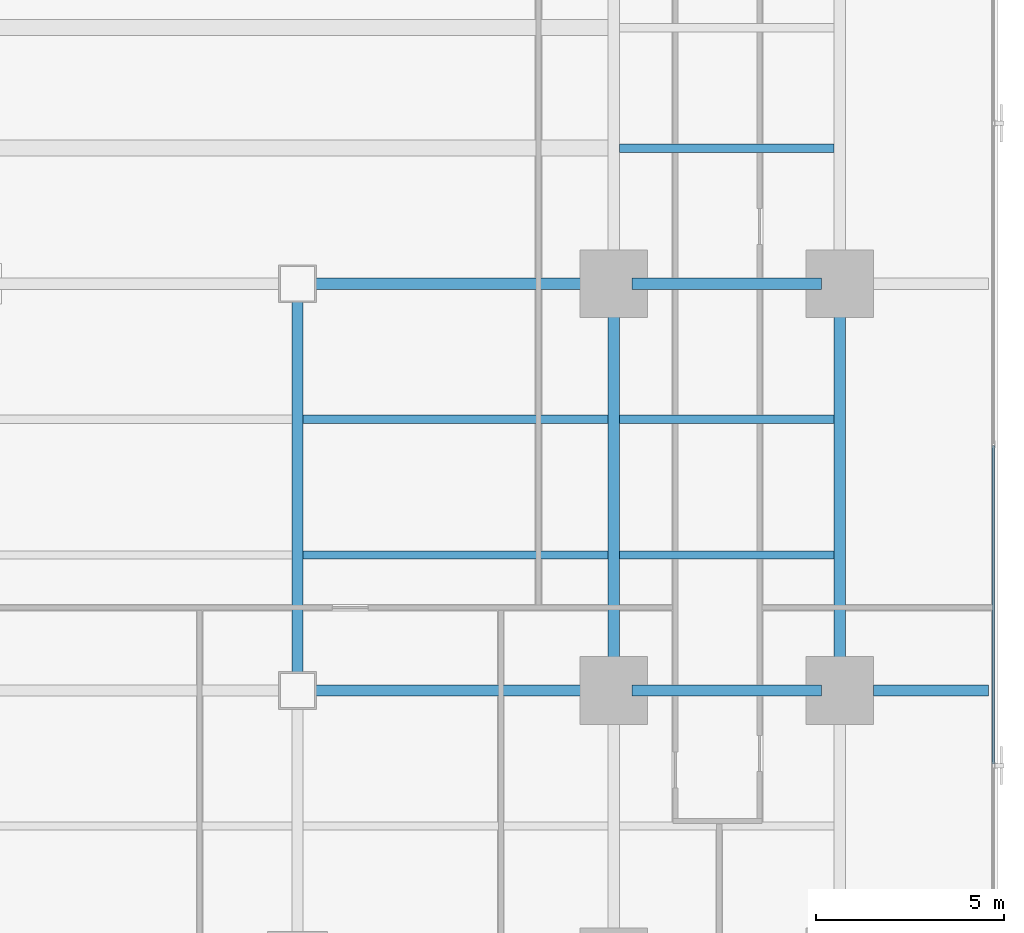
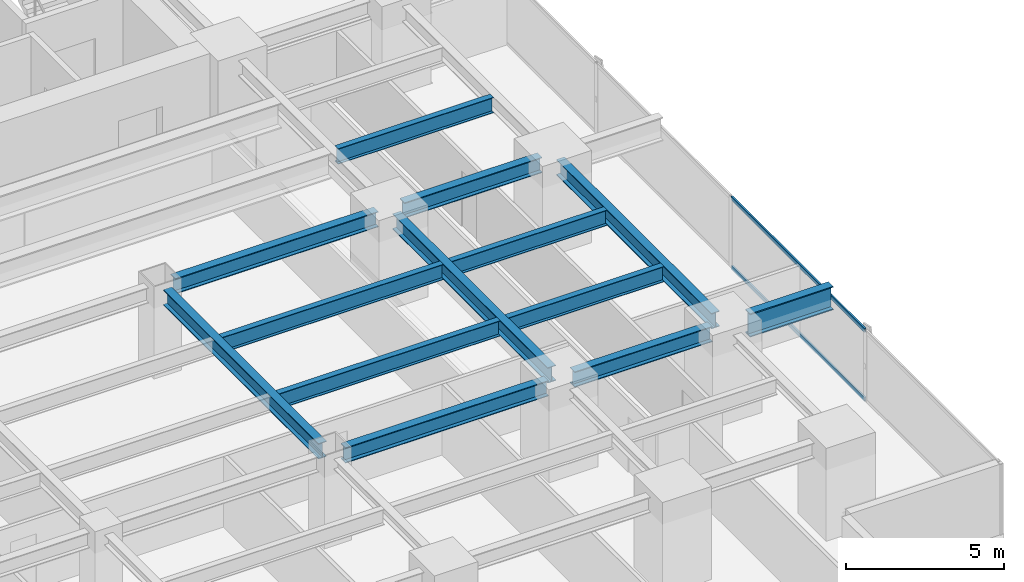
# One storey, part 14 of 33: 13 beams, 2 members, 1 element without a shape of its own.
"""IFC4 building model written with IfcOpenShell, lengths in metres."""

from ifc_helpers import new_model, si_unit, direction, frame, origin, origin_2d, place, context, subcontext, project, spatial, hollow_rectangle, i_section, extrude, source, transform, mapped, material, layer, layer_set, material_profile, profile_set, type_object, element, aggregate, save


model = new_model("IFC4")

# Units and contexts
model_context = context("Model", 3, precision=1e-05, world=origin(), true_north=direction((0.0, 1.0)))
body_context = subcontext(model_context, "Body", "Model", "MODEL_VIEW")
ifc_project = project(units=[si_unit("LENGTHUNIT", "METRE"), si_unit("AREAUNIT", "SQUARE_METRE"), si_unit("VOLUMEUNIT", "CUBIC_METRE"), si_unit("PLANEANGLEUNIT", "RADIAN"), si_unit("MASSUNIT", "GRAM", prefix="KILO")], contexts=[model_context])

# Site, building, storey
site_placement = place(None, origin())
site = spatial("IfcSite", under=ifc_project, at=site_placement, CompositionType="ELEMENT")
building_placement = place(site_placement, origin())
building = spatial("IfcBuilding", under=site, at=building_placement, Name="Sumidabori Civic Tower", CompositionType="ELEMENT")
storey_placement = place(building_placement, frame((0.0, 0.0, 38.0)))
storey = spatial("IfcBuildingStorey", under=building, at=storey_placement, Name="L09", CompositionType="ELEMENT", Elevation=38.0)

# Beams
ifc_material_1 = material(Name="Steel SN490", Category="steel")
ifc_material_profile_1 = material_profile(ifc_material_1, i_section(OverallWidth=0.300048828125, OverallDepth=0.60009765625, WebThickness=0.015380859375, FlangeThickness=0.030029296875, at=origin_2d()), Name="HE 600 B")
ifc_profile_set_1 = profile_set([ifc_material_profile_1], Name="Steel SN490")
beam_type_1 = type_object("IfcBeamType", Name="BM-GIRD-600", PredefinedType="BEAM", material=ifc_profile_set_1)
shared_shape_1 = source(origin(), body_context, "Body", "SweptSolid", [
    extrude(i_section(OverallWidth=0.300048828125, OverallDepth=0.60009765625, WebThickness=0.015380859375, FlangeThickness=0.030029296875, at=origin_2d()), origin(), (0.0, 0.0, 1.0), 5.0400390625),
])
for number, where, z_axis, x_axis, name in (
    (1, (17.280029296875, -10.800048828125, 3.06005859375), (1.0, 0.0, 0.0), (0.0, 1.0, 0.0), "Primary Girder L09 GX-12"),
    (2, (17.280029296875, 0.0, 3.06005859375), (1.0, 0.0, 0.0), (0.0, 1.0, 0.0), "Primary Girder L09 GX-18"),
):
    element("IfcBeam", number, at=place(storey_placement, frame(where, z_axis=z_axis, x_axis=x_axis)), inside=storey, type_object=beam_type_1, Name=name, PredefinedType="BEAM", context=body_context, shape_type="MappedRepresentation", body=[
        mapped(shared_shape_1, transform((0.0, 0.0, 0.0), x_axis=(1.0, 0.0, 0.0), y_axis=(0.0, 1.0, 0.0), z_axis=(0.0, 0.0, 1.0), scale=1.0)),
    ])
shared_shape_2 = source(origin(), body_context, "Body", "SweptSolid", [
    extrude(i_section(OverallWidth=0.300048828125, OverallDepth=0.60009765625, WebThickness=0.015380859375, FlangeThickness=0.030029296875, at=origin_2d()), origin(), (0.0, 0.0, 1.0), 7.440185546875),
])
for number, where, z_axis, x_axis, name in (
    (3, (8.8798828125, -10.800048828125, 3.06005859375), (1.0, 0.0, 0.0), (0.0, 1.0, 0.0), "Primary Girder L09 GX-11"),
    (4, (8.8798828125, 0.0, 3.06005859375), (1.0, 0.0, 0.0), (0.0, 1.0, 0.0), "Primary Girder L09 GX-17"),
):
    element("IfcBeam", number, at=place(storey_placement, frame(where, z_axis=z_axis, x_axis=x_axis)), inside=storey, type_object=beam_type_1, Name=name, PredefinedType="BEAM", context=body_context, shape_type="MappedRepresentation", body=[
        mapped(shared_shape_2, transform((0.0, 0.0, 0.0), x_axis=(1.0, 0.0, 0.0), y_axis=(0.0, 1.0, 0.0), z_axis=(0.0, 0.0, 1.0), scale=1.0)),
    ])
shared_shape_3 = source(origin(), body_context, "Body", "SweptSolid", [
    extrude(i_section(OverallWidth=0.300048828125, OverallDepth=0.60009765625, WebThickness=0.015380859375, FlangeThickness=0.030029296875, at=origin_2d()), origin(), (0.0, 0.0, 1.0), 9.840087890625),
])
for number, where, z_axis, x_axis, name in (
    (5, (8.39990234375, -10.320068359375, 3.06005859375), (0.0, 1.0, 0.0), (-1.0, 0.0, 0.0), "Primary Girder L09 GY-34"),
    (6, (16.800048828125, -10.320068359375, 3.06005859375), (0.0, 1.0, 0.0), (-1.0, 0.0, 0.0), "Primary Girder L09 GY-36"),
    (7, (22.800048828125, -10.320068359375, 3.06005859375), (0.0, 1.0, 0.0), (-1.0, 0.0, 0.0), "Primary Girder L09 GY-40"),
):
    element("IfcBeam", number, at=place(storey_placement, frame(where, z_axis=z_axis, x_axis=x_axis)), inside=storey, type_object=beam_type_1, Name=name, PredefinedType="BEAM", context=body_context, shape_type="MappedRepresentation", body=[
        mapped(shared_shape_3, transform((0.0, 0.0, 0.0), x_axis=(1.0, 0.0, 0.0), y_axis=(0.0, 1.0, 0.0), z_axis=(0.0, 0.0, 1.0), scale=1.0)),
    ])
ifc_material_profile_2 = material_profile(ifc_material_1, i_section(OverallWidth=0.302001953125, OverallDepth=0.909912109375, WebThickness=0.02099609375, FlangeThickness=0.0400390625, at=origin_2d()), Name="HE 900 M")
ifc_profile_set_2 = profile_set([ifc_material_profile_2], Name="Steel SN490")
beam_type_2 = type_object("IfcBeamType", Name="BM-Z1-EDGE", PredefinedType="SPANDREL", material=ifc_profile_set_2)
shared_shape_4 = source(origin(), body_context, "Body", "SweptSolid", [
    extrude(i_section(OverallWidth=0.302001953125, OverallDepth=0.909912109375, WebThickness=0.02099609375, FlangeThickness=0.0400390625, at=origin_2d()), origin(), (0.0, 0.0, 1.0), 3.050048828125),
])
beam_placement = place(storey_placement, frame((23.699951171875, -10.800048828125, 2.905029296875), z_axis=(1.0, 0.0, 0.0), x_axis=(0.0, 1.0, 0.0)))
element("IfcBeam", 8, at=beam_placement, inside=storey, type_object=beam_type_2, Name="Perimeter Overhang Beam L09 E-43", PredefinedType="SPANDREL", context=body_context, shape_type="MappedRepresentation", body=[
    mapped(shared_shape_4, transform((0.0, 0.0, 0.0), x_axis=(1.0, 0.0, 0.0), y_axis=(0.0, 1.0, 0.0), z_axis=(0.0, 0.0, 1.0), scale=1.0)),
])
ifc_material_profile_3 = material_profile(ifc_material_1, i_section(OverallWidth=0.219970703125, OverallDepth=0.60009765625, WebThickness=0.011962890625, FlangeThickness=0.01904296875, at=origin_2d()), Name="IPE 600")
ifc_profile_set_3 = profile_set([ifc_material_profile_3], Name="Steel SN490")
beam_type_3 = type_object("IfcBeamType", Name="BM-JST-600", PredefinedType="JOIST", material=ifc_profile_set_3)
shared_shape_5 = source(origin(), body_context, "Body", "SweptSolid", [
    extrude(i_section(OverallWidth=0.219970703125, OverallDepth=0.60009765625, WebThickness=0.011962890625, FlangeThickness=0.01904296875, at=origin_2d()), origin(), (0.0, 0.0, 1.0), 5.699951171875),
])
for number, where, z_axis, x_axis, name in (
    (9, (16.949951171875, -7.199951171875, 3.06005859375), (1.0, 0.0, 0.0), (0.0, 1.0, 0.0), "Outer Bay Floor Joist L09 JSTO-50"),
    (10, (16.949951171875, -3.60009765625, 3.06005859375), (1.0, 0.0, 0.0), (0.0, 1.0, 0.0), "Outer Bay Floor Joist L09 JSTO-52"),
    (11, (16.949951171875, 3.60009765625, 3.06005859375), (1.0, 0.0, 0.0), (0.0, 1.0, 0.0), "Outer Bay Floor Joist L09 JSTO-54"),
):
    element("IfcBeam", number, at=place(storey_placement, frame(where, z_axis=z_axis, x_axis=x_axis)), inside=storey, type_object=beam_type_3, Name=name, PredefinedType="JOIST", context=body_context, shape_type="MappedRepresentation", body=[
        mapped(shared_shape_5, transform((0.0, 0.0, 0.0), x_axis=(1.0, 0.0, 0.0), y_axis=(0.0, 1.0, 0.0), z_axis=(0.0, 0.0, 1.0), scale=1.0)),
    ])
shared_shape_6 = source(origin(), body_context, "Body", "SweptSolid", [
    extrude(i_section(OverallWidth=0.219970703125, OverallDepth=0.60009765625, WebThickness=0.011962890625, FlangeThickness=0.01904296875, at=origin_2d()), origin(), (0.0, 0.0, 1.0), 8.099853515625),
])
for number, where, z_axis, x_axis, name in (
    (12, (8.550048828125, -7.199951171875, 3.06005859375), (1.0, 0.0, 0.0), (0.0, 1.0, 0.0), "South Bay Floor Joist L09 JSTS-68"),
    (13, (8.550048828125, -3.60009765625, 3.06005859375), (1.0, 0.0, 0.0), (0.0, 1.0, 0.0), "South Bay Floor Joist L09 JSTS-72"),
):
    element("IfcBeam", number, at=place(storey_placement, frame(where, z_axis=z_axis, x_axis=x_axis)), inside=storey, type_object=beam_type_3, Name=name, PredefinedType="JOIST", context=body_context, shape_type="MappedRepresentation", body=[
        mapped(shared_shape_6, transform((0.0, 0.0, 0.0), x_axis=(1.0, 0.0, 0.0), y_axis=(0.0, 1.0, 0.0), z_axis=(0.0, 0.0, 1.0), scale=1.0)),
    ])

# Curtain wall, members
ifc_material_2 = material(Name="Anodised Bronze Aluminium AW-6063-T6", Category="aluminium")
ifc_layer = layer(ifc_material_2, 0.179931640625, Name="Anodised Bronze Aluminium AW-6063-T6")
ifc_layer_set = layer_set([ifc_layer], Name="Anodised Bronze Aluminium AW-6063-T6")
curtain_wall_type = type_object("IfcCurtainWallType", Name="CW-SYS-2", PredefinedType="NOTDEFINED", material=ifc_layer_set)
curtain_wall_placement = place(storey_placement, origin())
curtain_wall = element("IfcCurtainWall", 14, at=curtain_wall_placement, inside=storey, type_object=curtain_wall_type, Name="Curtain Wall CW:L09:R04", PredefinedType="NOTDEFINED")
ifc_material_profile_4 = material_profile(ifc_material_2, hollow_rectangle(XDim=0.06494140625, YDim=0.14990234375, WallThickness=0.0048828125, at=origin_2d()), Name="ALU TRANSOM 150x65")
ifc_profile_set_4 = profile_set([ifc_material_profile_4], Name="Anodised Bronze Aluminium AW-6063-T6")
member_type = type_object("IfcMemberType", Name="CW-TRN-150", PredefinedType="USERDEFINED", material=ifc_profile_set_4)
shared_shape_7 = source(origin(), body_context, "Body", "SweptSolid", [
    extrude(hollow_rectangle(XDim=0.06494140625, YDim=0.14990234375, WallThickness=0.0048828125, at=origin_2d()), origin(), (0.0, 0.0, 1.0), 8.4580078125),
])
member_1_placement = place(storey_placement, frame((26.8798828125, -12.757080078125, 0.032470703125), z_axis=(0.0, 1.0, 0.0), x_axis=(-1.0, 0.0, 0.0)))
member_1 = element("IfcMember", 15, at=member_1_placement, type_object=member_type, Name="CW-2 transom 2.1", ObjectType="TRANSOM", PredefinedType="USERDEFINED", context=body_context, shape_type="MappedRepresentation", body=[
    mapped(shared_shape_7, transform((0.0, 0.0, 0.0), x_axis=(1.0, 0.0, 0.0), y_axis=(0.0, 1.0, 0.0), z_axis=(0.0, 0.0, 1.0), scale=1.0)),
])
member_2_placement = place(storey_placement, frame((26.8798828125, -12.757080078125, 2.70751953125), z_axis=(0.0, 1.0, 0.0), x_axis=(-1.0, 0.0, 0.0)))
member_2 = element("IfcMember", 16, at=member_2_placement, type_object=member_type, Name="CW-2 transom 2.2", ObjectType="TRANSOM", PredefinedType="USERDEFINED", context=body_context, shape_type="MappedRepresentation", body=[
    mapped(shared_shape_7, transform((0.0, 0.0, 0.0), x_axis=(1.0, 0.0, 0.0), y_axis=(0.0, 1.0, 0.0), z_axis=(0.0, 0.0, 1.0), scale=1.0)),
])
aggregate(curtain_wall, [member_1, member_2])

save(model, "model.ifc")
